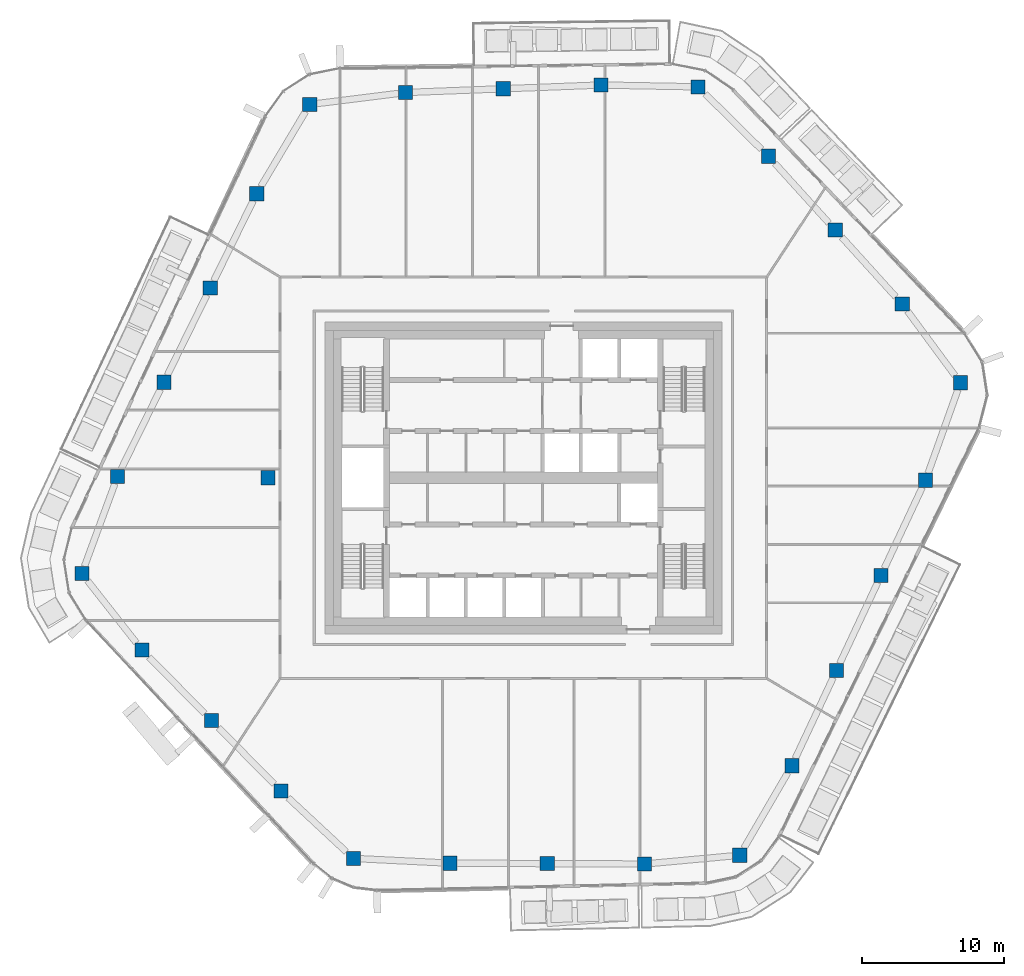
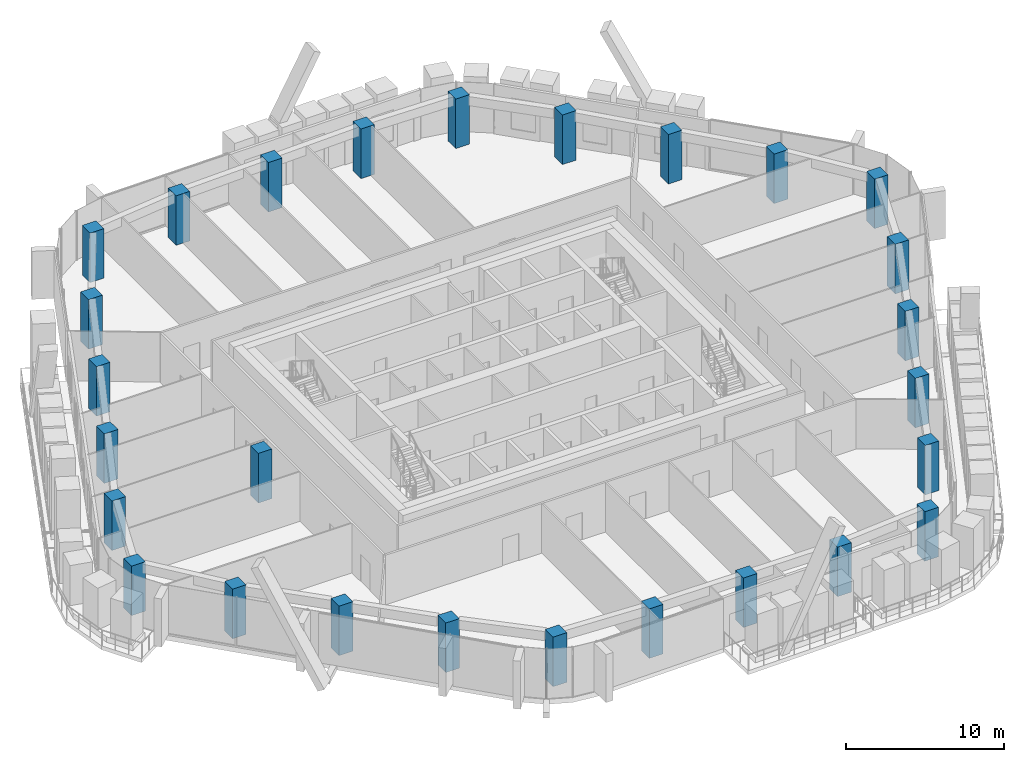
# One storey, part 1 of 23: 27 columns.
"""IFC4 building model written with IfcOpenShell, lengths in metres."""

from ifc_helpers import new_model, si_unit, direction, frame, origin, origin_2d, place, context, subcontext, project, spatial, rectangle, extrude, material, material_profile, profile_set, type_object, element, save


model = new_model("IFC4")

# Units and contexts
model_context = context("Model", 3, precision=1e-05, world=origin(), true_north=direction((0.0, 1.0)))
body_context = subcontext(model_context, "Body", "Model", "MODEL_VIEW")
ifc_project = project(units=[si_unit("LENGTHUNIT", "METRE"), si_unit("AREAUNIT", "SQUARE_METRE"), si_unit("VOLUMEUNIT", "CUBIC_METRE"), si_unit("PLANEANGLEUNIT", "RADIAN"), si_unit("MASSUNIT", "GRAM", prefix="KILO")], contexts=[model_context])

# Site, building, storey
site_placement = place(None, origin())
site = spatial("IfcSite", under=ifc_project, at=site_placement, CompositionType="ELEMENT")
building_placement = place(site_placement, origin())
building = spatial("IfcBuilding", under=site, at=building_placement, Name="Dongbaek Canopy Tower", CompositionType="ELEMENT")
storey_placement = place(building_placement, frame((0.0, 0.0, 340.39990234375)))
storey = spatial("IfcBuildingStorey", under=building, at=storey_placement, Name="L73", CompositionType="ELEMENT", Elevation=340.39990234375)

# Columns
ifc_material = material(Name="Concrete C60", Category="concrete")
ifc_material_profile = material_profile(ifc_material, rectangle(XDim=1.0, YDim=1.0, at=origin_2d()), Name="RC COLUMN 1000x1000 C60")
ifc_profile_set = profile_set([ifc_material_profile], Name="Concrete C60")
column_type = type_object("IfcColumnType", Name="RC COLUMN 1000x1000 C60", PredefinedType="COLUMN", material=ifc_profile_set)
for number, where, z_axis, x_axis, name in (
    (1, (15.251953125, -26.60693359375, 0.0), (0.0, 0.0, 1.0), (1.0, 0.0, 0.0), "COL:CZ5-01:L73"),
    (2, (8.533935546875, -27.22705078125, 0.0), (0.0, 0.0, 1.0), (1.0, 0.0, 0.0), "COL:CZ5-02:L73"),
    (3, (1.68310546875, -27.197021484375, 0.0), (0.0, 0.0, 1.0), (1.0, 0.0, 0.0), "COL:CZ5-03:L73"),
    (4, (-5.166015625, -27.1669921875, 0.0), (0.0, 0.0, 1.0), (1.0, 0.0, 0.0), "COL:CZ5-04:L73"),
    (5, (-11.985107421875, -26.8310546875, 0.0), (0.0, 0.0, 1.0), (1.0, 0.0, 0.0), "COL:CZ5-05:L73"),
    (6, (-17.083984375, -22.089111328125, 0.0), (0.0, 0.0, 1.0), (1.0, 0.0, 0.0), "COL:CZ5-06:L73"),
    (7, (-21.986083984375, -17.112060546875, 0.0), (0.0, 0.0, 1.0), (1.0, 0.0, 0.0), "COL:CZ5-07:L73"),
    (8, (-26.888916015625, -12.134033203125, 0.0), (0.0, 0.0, 1.0), (1.0, 0.0, 0.0), "COL:CZ5-08:L73"),
    (9, (-31.12890625, -6.7451171875, 0.0), (0.0, 0.0, 1.0), (1.0, 0.0, 0.0), "COL:CZ5-09:L73"),
    (10, (-28.616943359375, 0.0859375, 0.0), (0.0, 0.0, 1.0), (1.0, 0.0, 0.0), "COL:CZ5-10:L73"),
    (11, (-25.346923828125, 6.735107421875, 0.0), (0.0, 0.0, 1.0), (1.0, 0.0, 0.0), "COL:CZ5-11:L73"),
    (12, (-22.075927734375, 13.384033203125, 0.0), (0.0, 0.0, 1.0), (1.0, 0.0, 0.0), "COL:CZ5-12:L73"),
    (13, (-18.805908203125, 20.031982421875, 0.0), (0.0, 0.0, 1.0), (1.0, 0.0, 0.0), "COL:CZ5-13:L73"),
    (14, (-15.06201171875, 26.321044921875, 0.0), (0.0, 0.0, 1.0), (1.0, 0.0, 0.0), "COL:CZ5-14:L73"),
    (15, (-8.30908203125, 27.1640625, 0.0), (0.0, 0.0, 1.0), (1.0, 0.0, 0.0), "COL:CZ5-15:L73"),
    (16, (-1.41796875, 27.427978515625, 0.0), (0.0, 0.0, 1.0), (1.0, 0.0, 0.0), "COL:CZ5-16:L73"),
    (17, (5.470947265625, 27.69189453125, 0.0), (0.0, 0.0, 1.0), (1.0, 0.0, 0.0), "COL:CZ5-17:L73"),
    (18, (12.31396484375, 27.56298828125, 0.0), (0.0, 0.0, 1.0), (1.0, 0.0, 0.0), "COL:CZ5-18:L73"),
    (19, (17.27587890625, 22.666015625, 0.0), (0.0, 0.0, 1.0), (1.0, 0.0, 0.0), "COL:CZ5-19:L73"),
    (20, (21.989990234375, 17.4619140625, 0.0), (0.0, 0.0, 1.0), (1.0, 0.0, 0.0), "COL:CZ5-20:L73"),
    (21, (26.702880859375, 12.257080078125, 0.0), (0.0, 0.0, 1.0), (1.0, 0.0, 0.0), "COL:CZ5-21:L73"),
    (22, (30.804931640625, 6.697998046875, 0.0), (0.0, 0.0, 1.0), (1.0, 0.0, 0.0), "COL:CZ5-22:L73"),
    (23, (28.35107421875, -0.169921875, 0.0), (0.0, 0.0, 1.0), (1.0, 0.0, 0.0), "COL:CZ5-23:L73"),
    (24, (25.2099609375, -6.87890625, 0.0), (0.0, 0.0, 1.0), (1.0, 0.0, 0.0), "COL:CZ5-24:L73"),
    (25, (22.068115234375, -13.587890625, 0.0), (0.0, 0.0, 1.0), (1.0, 0.0, 0.0), "COL:CZ5-25:L73"),
    (26, (18.925048828125, -20.2958984375, 0.0), (0.0, 0.0, 1.0), (1.0, 0.0, 0.0), "COL:CZ5-26:L73"),
    (27, (-18.0, 0.0, 0.0), (0.0, 0.0, 1.0), (1.0, 0.0, 0.0), "COL:CIZ5-01:L73"),
):
    element("IfcColumn", number, at=place(storey_placement, frame(where, z_axis=z_axis, x_axis=x_axis)), inside=storey, type_object=column_type, Name=name, PredefinedType="COLUMN", context=body_context, shape_type="SweptSolid", body=[
        extrude(rectangle(XDim=1.0, YDim=1.0, at=origin_2d()), origin(), (0.0, 0.0, 1.0), 3.820068359375),
    ])

save(model, "model.ifc")
